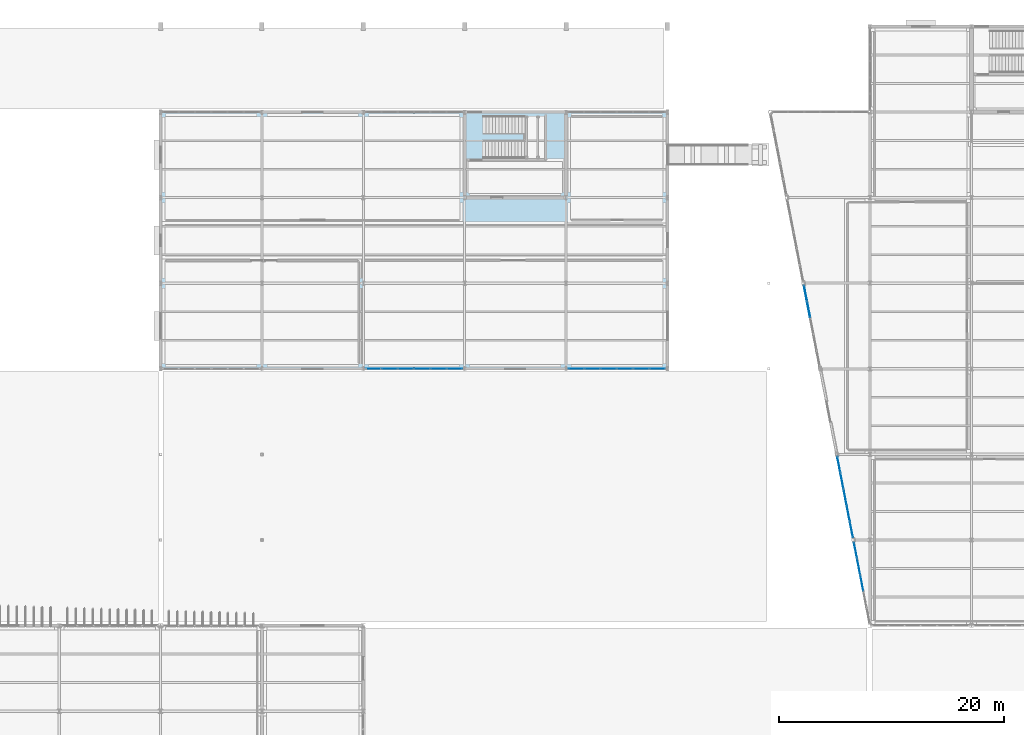
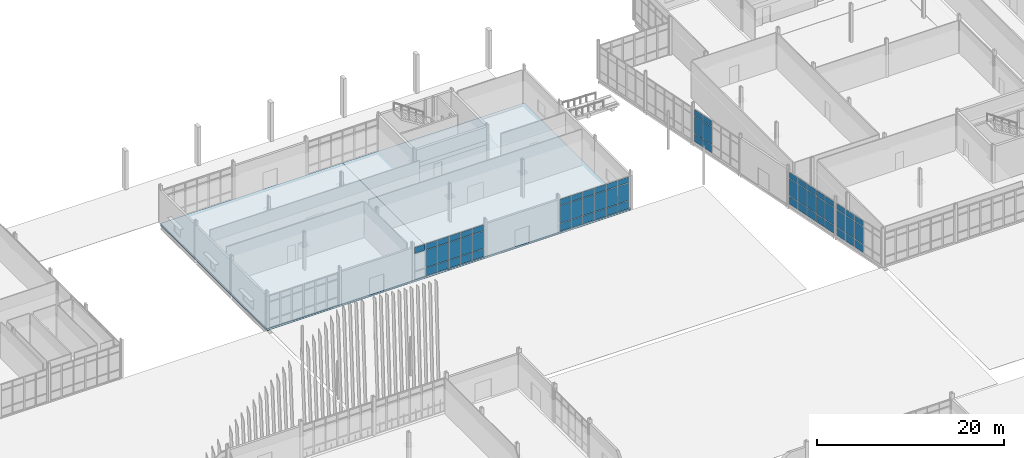
# One storey, part 129 of 161: 64 plates, 2 slabs, 5 elements without a shape of their own.
"""IFC4 building model written with IfcOpenShell, lengths in metres."""

import ifcopenshell
import ifcopenshell.guid

model = None  # the IFC model being written
_history = None  # IfcOwnerHistory: only IFC2X3 demands one
_inside = {}  # id of a spatial element -> (the spatial element, [elements in it])
_under = {}  # id of a project, library or spatial element -> (it, [spatial elements below it])
_declared = {}  # id of a project -> (the project, [libraries it declares])
_typed = {}  # id of a type object -> (the type object, [elements of that type])
_made_of = {}  # id of a material, layer set ... -> (it, [elements and type objects made of it])


def new_model(schema):
    """Start an empty IFC model of exactly this schema.

    Asked for "IFC4X3", IfcOpenShell would pick the latest addendum, in which some entities
    have other attributes; the version numbers below select the first issue.
    IFC2X3 requires an IfcOwnerHistory on every rooted entity: one is made here for all.
    """
    global model, _history
    if schema == "IFC4X3":
        model = ifcopenshell.file(schema_version=(4, 3, 0, 0))
    else:
        model = ifcopenshell.file(schema=schema)
    _inside.clear()
    _under.clear()
    _declared.clear()
    _typed.clear()
    _made_of.clear()
    _history = None
    if model.schema == "IFC2X3":
        org = make("IfcOrganization", Name="unknown")
        user = make(
            "IfcPersonAndOrganization",
            ThePerson=make("IfcPerson", FamilyName="unknown"),
            TheOrganization=org,
        )
        app = make(
            "IfcApplication",
            ApplicationDeveloper=org,
            Version="unknown",
            ApplicationFullName="unknown",
            ApplicationIdentifier="unknown",
        )
        _history = make(
            "IfcOwnerHistory",
            OwningUser=user,
            OwningApplication=app,
            ChangeAction="ADDED",
            CreationDate=0,
        )
    return model


def make(cls, **values):
    """One entity of the class cls with the attributes given. An attribute that is None is left unset."""
    return model.create_entity(
        cls, **{name: value for name, value in values.items() if value is not None}
    )


def rooted(cls, **values):
    """An entity with a GlobalId (a new one), such as an element, a storey or a relation."""
    return make(cls, GlobalId=ifcopenshell.guid.new(), OwnerHistory=_history, **values)


def si_unit(unit_type, name, prefix=None):
    """IfcSIUnit, for example si_unit("LENGTHUNIT", "METRE", prefix="MILLI")."""
    return make("IfcSIUnit", UnitType=unit_type, Prefix=prefix, Name=name)


def assignment(units):
    """IfcUnitAssignment: the units of a project."""
    return None if units is None else make("IfcUnitAssignment", Units=units)


def point(xyz):
    """IfcCartesianPoint."""
    return None if xyz is None else make("IfcCartesianPoint", Coordinates=xyz)


def direction(xyz):
    """IfcDirection."""
    return None if xyz is None else make("IfcDirection", DirectionRatios=xyz)


def frame(location, z_axis=None, x_axis=None):
    """IfcAxis2Placement3D, a coordinate frame: its origin and axes. An axis left out is left unset."""
    return make(
        "IfcAxis2Placement3D",
        Location=point(location),
        Axis=direction(z_axis),
        RefDirection=direction(x_axis),
    )


def frame_2d(location, x_axis=None):
    """IfcAxis2Placement2D, a coordinate frame in the plane: its origin and x axis."""
    return make(
        "IfcAxis2Placement2D", Location=point(location), RefDirection=direction(x_axis)
    )


def origin():
    """The frame at (0, 0, 0) with its axes left unset."""
    return frame((0.0, 0.0, 0.0))


def origin_2d():
    """The frame at (0, 0) in the plane with its x axis left unset."""
    return frame_2d((0.0, 0.0))


def place(relative_to, where):
    """IfcLocalPlacement: puts the frame where relative to a parent placement (None: the world)."""
    return make(
        "IfcLocalPlacement", PlacementRelTo=relative_to, RelativePlacement=where
    )


def context(
    kind, dimensions, precision=None, world=None, true_north=None, identifier=None
):
    """IfcGeometricRepresentationContext, for example the 3D "Model" context."""
    return make(
        "IfcGeometricRepresentationContext",
        ContextIdentifier=identifier,
        ContextType=kind,
        CoordinateSpaceDimension=dimensions,
        Precision=precision,
        WorldCoordinateSystem=world,
        TrueNorth=true_north,
    )


def subcontext(parent, identifier, kind, view, scale=None):
    """IfcGeometricRepresentationSubContext, for example "Body" below "Model"."""
    return make(
        "IfcGeometricRepresentationSubContext",
        ContextIdentifier=identifier,
        ContextType=kind,
        ParentContext=parent,
        TargetScale=scale,
        TargetView=view,
    )


def project(units=None, contexts=None):
    """IfcProject with its units and contexts."""
    return rooted(
        "IfcProject",
        Name="project",
        RepresentationContexts=contexts,
        UnitsInContext=assignment(units),
    )


def spatial(cls, under=None, at=None, **own):
    """A site, building, storey or space (cls), placed at a placement, below another one or the project."""
    s = rooted(cls, ObjectPlacement=at, **own)
    if under is not None:
        _under.setdefault(under.id(), (under, []))[1].append(s)
    return s


def polyline(points):
    """IfcPolyline through the points."""
    return make("IfcPolyline", Points=[point(p) for p in points])


def profile(cls, at=None, kind="AREA", **sizes):
    """A parametric profile (cls). Its sizes go by their IFC names, for example OverallWidth=200.0."""
    return make(cls, ProfileType=kind, Position=at, **sizes)


def rectangle(**sizes):
    """IfcRectangleProfileDef."""
    return profile("IfcRectangleProfileDef", **sizes)


def outline(outer, holes=None, kind="AREA"):
    """IfcArbitraryClosedProfileDef: a profile drawn as a closed curve; with holes, ...WithVoids."""
    if holes is None:
        return make("IfcArbitraryClosedProfileDef", ProfileType=kind, OuterCurve=outer)
    return make(
        "IfcArbitraryProfileDefWithVoids",
        ProfileType=kind,
        OuterCurve=outer,
        InnerCurves=holes,
    )


def extrude(swept, where, along, depth):
    """IfcExtrudedAreaSolid: the profile swept, set in the frame where, extruded along a direction by depth."""
    return make(
        "IfcExtrudedAreaSolid",
        SweptArea=swept,
        Position=where,
        ExtrudedDirection=direction(along),
        Depth=depth,
    )


def shape(context_of_items, identifier, shape_type, items):
    """IfcShapeRepresentation: the items that make up one representation, for example the "Body"."""
    return make(
        "IfcShapeRepresentation",
        ContextOfItems=context_of_items,
        RepresentationIdentifier=identifier,
        RepresentationType=shape_type,
        Items=items,
    )


def material(Name=None, Category=None):
    """IfcMaterial."""
    return make("IfcMaterial", Name=Name, Category=Category)


def layer(
    of_material, thickness, ventilated=None, Name=None, Category=None, Priority=None
):
    """IfcMaterialLayer: one layer of a wall or slab, of a material (None: an air gap)."""
    return make(
        "IfcMaterialLayer",
        Material=of_material,
        LayerThickness=thickness,
        IsVentilated=ventilated,
        Name=Name,
        Category=Category,
        Priority=Priority,
    )


def layer_set(layers, Name=None):
    """IfcMaterialLayerSet."""
    return make("IfcMaterialLayerSet", MaterialLayers=layers, LayerSetName=Name)


def made_of(thing, what):
    """Note that an element or type object is made of a material, layer set ...; save() writes the relation."""
    if what is not None:
        _made_of.setdefault(what.id(), (what, []))[1].append(thing)
    return thing


def type_object(cls, material=None, **own):
    """A type object (cls), such as IfcWallType, which elements share."""
    return made_of(rooted(cls, **own), material)


def element(
    cls,
    number,
    at=None,
    inside=None,
    cuts=None,
    type_object=None,
    material=None,
    context=None,
    identifier="Body",
    shape_type=None,
    held_by="IfcProductDefinitionShape",
    body=None,
    shapes=None,
    **own,
):
    """One element of the class cls, such as IfcWall. Its Tag is "e" and its number.

    at: its placement. inside: the storey or other place that contains it. cuts: it is an
    opening in that element (IfcRelVoidsElement). A single representation is given by context,
    identifier, shape_type and body (its items); several are given by shapes. held_by: the class
    of the entity that holds the representations. save() writes the other relations.
    """
    e = rooted(cls, Tag="e%d" % number, ObjectPlacement=at, **own)
    if body is not None:
        shapes = [shape(context, identifier, shape_type, body)]
    if shapes is not None:
        e.Representation = make(held_by, Representations=shapes)
    if inside is not None:
        _inside.setdefault(inside.id(), (inside, []))[1].append(e)
    if cuts is not None:
        rooted(
            "IfcRelVoidsElement", RelatingBuildingElement=cuts, RelatedOpeningElement=e
        )
    if type_object is not None:
        _typed.setdefault(type_object.id(), (type_object, []))[1].append(e)
    return made_of(e, material)


def aggregate(whole, parts):
    """IfcRelAggregates: a whole, such as a stair, and the parts it consists of."""
    return rooted("IfcRelAggregates", RelatingObject=whole, RelatedObjects=parts)


def save(model, path):
    """Write the relations noted so far, then the file.

    IfcRelAggregates (storeys below a building ...), IfcRelContainedInSpatialStructure (elements
    in a storey), IfcRelDefinesByType, IfcRelAssociatesMaterial and IfcRelDeclares: one each for
    every whole, place, type object, material and project.
    """
    for whole, parts in _under.values():
        aggregate(whole, parts)
    for where, things in _inside.values():
        rooted(
            "IfcRelContainedInSpatialStructure",
            RelatedElements=things,
            RelatingStructure=where,
        )
    for kind, things in _typed.values():
        rooted("IfcRelDefinesByType", RelatedObjects=things, RelatingType=kind)
    for what, things in _made_of.values():
        rooted("IfcRelAssociatesMaterial", RelatedObjects=things, RelatingMaterial=what)
    for by, libraries in _declared.values():
        rooted("IfcRelDeclares", RelatingContext=by, RelatedDefinitions=libraries)
    model.write(path)


model = new_model("IFC4")

# Units and contexts
model_context = context("Model", 3, precision=1e-05, world=origin(), true_north=direction((0.0, 1.0)))
body_context = subcontext(model_context, "Body", "Model", "MODEL_VIEW")
ifc_project = project(units=[si_unit("LENGTHUNIT", "METRE"), si_unit("AREAUNIT", "SQUARE_METRE"), si_unit("VOLUMEUNIT", "CUBIC_METRE"), si_unit("PLANEANGLEUNIT", "RADIAN"), si_unit("MASSUNIT", "GRAM", prefix="KILO")], contexts=[model_context])

# Site, building, storey
site_placement = place(None, origin())
site = spatial("IfcSite", under=ifc_project, at=site_placement, CompositionType="ELEMENT")
building_placement = place(site_placement, origin())
building = spatial("IfcBuilding", under=site, at=building_placement, Name="Caisbarro Railhouse Central Library", CompositionType="ELEMENT")
storey_placement = place(building_placement, origin())
storey = spatial("IfcBuildingStorey", under=building, at=storey_placement, Name="L00", CompositionType="ELEMENT", Elevation=0.0)

# Curtain wall, plates
ifc_material_1 = material(Name="Anodised architectural aluminium", Category="aluminium")
curtain_wall_type_1 = type_object("IfcCurtainWallType", Name="CW-CW01", PredefinedType="NOTDEFINED", material=ifc_material_1)
curtain_wall_1_placement = place(storey_placement, origin())
curtain_wall_1 = element("IfcCurtainWall", 1, at=curtain_wall_1_placement, inside=storey, type_object=curtain_wall_type_1, Name="CW01 curtain wall L00 #96", PredefinedType="NOTDEFINED")
ifc_material_2 = material(Name="Double low-e laminated solar-control glass", Category="glass")
ifc_layer_1 = layer(ifc_material_2, 0.01806640625, Name="Double low-e laminated solar-control glass")
ifc_layer_set_1 = layer_set([ifc_layer_1], Name="Double low-e laminated solar-control glass")
plate_type_1 = type_object("IfcPlateType", Name="CWP-CP18", PredefinedType="CURTAIN_PANEL", material=ifc_layer_set_1)
plate_1_placement = place(storey_placement, frame((116.261474609375, 64.60009765625, 0.06494140625), z_axis=(0.0, 0.0, 1.0), x_axis=(-0.190780945369, 0.981632635401, 0.0)))
plate_1 = element("IfcPlate", 2, at=plate_1_placement, type_object=plate_type_1, Name="CW01 panel 3.1", PredefinedType="CURTAIN_PANEL", context=body_context, shape_type="SweptSolid", body=[
    extrude(rectangle(XDim=1.409423828125, YDim=0.01806640625, at=origin_2d()), origin(), (0.0, 0.0, 1.0), 1.0224609375),
])
plate_2_placement = place(storey_placement, frame((116.261474609375, 64.60009765625, 1.15234375), z_axis=(0.0, 0.0, 1.0), x_axis=(-0.190780945369, 0.981632635401, 0.0)))
plate_2 = element("IfcPlate", 3, at=plate_2_placement, type_object=plate_type_1, Name="CW01 panel 3.2", PredefinedType="CURTAIN_PANEL", context=body_context, shape_type="SweptSolid", body=[
    extrude(rectangle(XDim=1.409423828125, YDim=0.01806640625, at=origin_2d()), origin(), (0.0, 0.0, 1.0), 2.264892578125),
])
plate_3_placement = place(storey_placement, frame((116.261474609375, 64.60009765625, 3.482421875), z_axis=(0.0, 0.0, 1.0), x_axis=(-0.190780945369, 0.981632635401, 0.0)))
plate_3 = element("IfcPlate", 4, at=plate_3_placement, type_object=plate_type_1, Name="CW01 panel 3.3", PredefinedType="CURTAIN_PANEL", context=body_context, shape_type="SweptSolid", body=[
    extrude(rectangle(XDim=1.409423828125, YDim=0.01806640625, at=origin_2d()), origin(), (0.0, 0.0, 1.0), 0.75244140625),
])
plate_4_placement = place(storey_placement, frame((115.978271484375, 66.05712890625, 0.06494140625), z_axis=(0.0, 0.0, 1.0), x_axis=(-0.190780945369, 0.981632635401, 0.0)))
plate_4 = element("IfcPlate", 5, at=plate_4_placement, type_object=plate_type_1, Name="CW01 panel 4.1", PredefinedType="CURTAIN_PANEL", context=body_context, shape_type="SweptSolid", body=[
    extrude(rectangle(XDim=1.409423828125, YDim=0.01806640625, at=origin_2d()), origin(), (0.0, 0.0, 1.0), 1.0224609375),
])
plate_5_placement = place(storey_placement, frame((115.978271484375, 66.05712890625, 1.15234375), z_axis=(0.0, 0.0, 1.0), x_axis=(-0.190780945369, 0.981632635401, 0.0)))
plate_5 = element("IfcPlate", 6, at=plate_5_placement, type_object=plate_type_1, Name="CW01 panel 4.2", PredefinedType="CURTAIN_PANEL", context=body_context, shape_type="SweptSolid", body=[
    extrude(rectangle(XDim=1.409423828125, YDim=0.01806640625, at=origin_2d()), origin(), (0.0, 0.0, 1.0), 2.264892578125),
])
plate_6_placement = place(storey_placement, frame((115.978271484375, 66.05712890625, 3.482421875), z_axis=(0.0, 0.0, 1.0), x_axis=(-0.190780945369, 0.981632635401, 0.0)))
plate_6 = element("IfcPlate", 7, at=plate_6_placement, type_object=plate_type_1, Name="CW01 panel 4.3", PredefinedType="CURTAIN_PANEL", context=body_context, shape_type="SweptSolid", body=[
    extrude(rectangle(XDim=1.409423828125, YDim=0.01806640625, at=origin_2d()), origin(), (0.0, 0.0, 1.0), 0.75244140625),
])
plate_7_placement = place(storey_placement, frame((115.69873046875, 67.495849609375, 0.06494140625), z_axis=(0.0, 0.0, 1.0), x_axis=(-0.190780945369, 0.981632635401, 0.0)))
plate_7 = element("IfcPlate", 8, at=plate_7_placement, type_object=plate_type_1, Name="CW01 panel 5.1", PredefinedType="CURTAIN_PANEL", context=body_context, shape_type="SweptSolid", body=[
    extrude(rectangle(XDim=1.371826171875, YDim=0.01806640625, at=origin_2d()), origin(), (0.0, 0.0, 1.0), 1.0224609375),
])
plate_8_placement = place(storey_placement, frame((115.69873046875, 67.495849609375, 1.15234375), z_axis=(0.0, 0.0, 1.0), x_axis=(-0.190780945369, 0.981632635401, 0.0)))
plate_8 = element("IfcPlate", 9, at=plate_8_placement, type_object=plate_type_1, Name="CW01 panel 5.2", PredefinedType="CURTAIN_PANEL", context=body_context, shape_type="SweptSolid", body=[
    extrude(rectangle(XDim=1.371826171875, YDim=0.01806640625, at=origin_2d()), origin(), (0.0, 0.0, 1.0), 2.264892578125),
])
plate_9_placement = place(storey_placement, frame((115.69873046875, 67.495849609375, 3.482421875), z_axis=(0.0, 0.0, 1.0), x_axis=(-0.190780945369, 0.981632635401, 0.0)))
plate_9 = element("IfcPlate", 10, at=plate_9_placement, type_object=plate_type_1, Name="CW01 panel 5.3", PredefinedType="CURTAIN_PANEL", context=body_context, shape_type="SweptSolid", body=[
    extrude(rectangle(XDim=1.371826171875, YDim=0.01806640625, at=origin_2d()), origin(), (0.0, 0.0, 1.0), 0.75244140625),
])
aggregate(curtain_wall_1, [plate_1, plate_2, plate_3, plate_4, plate_5, plate_6, plate_7, plate_8, plate_9])

curtain_wall_type_2 = type_object("IfcCurtainWallType", Name="CW-CW02", PredefinedType="NOTDEFINED", material=ifc_material_1)
curtain_wall_2_placement = place(storey_placement, origin())
curtain_wall_2 = element("IfcCurtainWall", 11, at=curtain_wall_2_placement, inside=storey, type_object=curtain_wall_type_2, Name="CW02 curtain wall L00 #168", PredefinedType="NOTDEFINED")
plate_10_placement = place(storey_placement, frame((72.902099609375, 83.60009765625, 3.482421875), z_axis=(0.0, 0.0, 1.0), x_axis=(1.0, 0.0, 0.0)))
plate_10 = element("IfcPlate", 12, at=plate_10_placement, type_object=plate_type_1, Name="CW02 panel 1.3", PredefinedType="CURTAIN_PANEL", context=body_context, shape_type="SweptSolid", body=[
    extrude(rectangle(XDim=1.334228515625, YDim=0.01806640625, at=origin_2d()), origin(), (0.0, 0.0, 1.0), 0.75244140625),
])
plate_11_placement = place(storey_placement, frame((74.330078125, 83.60009765625, 0.06494140625), z_axis=(0.0, 0.0, 1.0), x_axis=(1.0, 0.0, 0.0)))
plate_11 = element("IfcPlate", 13, at=plate_11_placement, type_object=plate_type_1, Name="CW02 panel 2.1", PredefinedType="CURTAIN_PANEL", context=body_context, shape_type="SweptSolid", body=[
    extrude(rectangle(XDim=1.37158203125, YDim=0.01806640625, at=origin_2d()), origin(), (0.0, 0.0, 1.0), 1.0224609375),
])
plate_12_placement = place(storey_placement, frame((74.330078125, 83.60009765625, 1.15234375), z_axis=(0.0, 0.0, 1.0), x_axis=(1.0, 0.0, 0.0)))
plate_12 = element("IfcPlate", 14, at=plate_12_placement, type_object=plate_type_1, Name="CW02 panel 2.2", PredefinedType="CURTAIN_PANEL", context=body_context, shape_type="SweptSolid", body=[
    extrude(rectangle(XDim=1.37158203125, YDim=0.01806640625, at=origin_2d()), origin(), (0.0, 0.0, 1.0), 2.264892578125),
])
plate_13_placement = place(storey_placement, frame((74.330078125, 83.60009765625, 3.482421875), z_axis=(0.0, 0.0, 1.0), x_axis=(1.0, 0.0, 0.0)))
plate_13 = element("IfcPlate", 15, at=plate_13_placement, type_object=plate_type_1, Name="CW02 panel 2.3", PredefinedType="CURTAIN_PANEL", context=body_context, shape_type="SweptSolid", body=[
    extrude(rectangle(XDim=1.37158203125, YDim=0.01806640625, at=origin_2d()), origin(), (0.0, 0.0, 1.0), 0.75244140625),
])
plate_14_placement = place(storey_placement, frame((75.776611328125, 83.60009765625, 0.06494140625), z_axis=(0.0, 0.0, 1.0), x_axis=(1.0, 0.0, 0.0)))
plate_14 = element("IfcPlate", 16, at=plate_14_placement, type_object=plate_type_1, Name="CW02 panel 3.1", PredefinedType="CURTAIN_PANEL", context=body_context, shape_type="SweptSolid", body=[
    extrude(rectangle(XDim=1.37158203125, YDim=0.01806640625, at=origin_2d()), origin(), (0.0, 0.0, 1.0), 1.0224609375),
])
plate_15_placement = place(storey_placement, frame((75.776611328125, 83.60009765625, 1.15234375), z_axis=(0.0, 0.0, 1.0), x_axis=(1.0, 0.0, 0.0)))
plate_15 = element("IfcPlate", 17, at=plate_15_placement, type_object=plate_type_1, Name="CW02 panel 3.2", PredefinedType="CURTAIN_PANEL", context=body_context, shape_type="SweptSolid", body=[
    extrude(rectangle(XDim=1.37158203125, YDim=0.01806640625, at=origin_2d()), origin(), (0.0, 0.0, 1.0), 2.264892578125),
])
plate_16_placement = place(storey_placement, frame((75.776611328125, 83.60009765625, 3.482421875), z_axis=(0.0, 0.0, 1.0), x_axis=(1.0, 0.0, 0.0)))
plate_16 = element("IfcPlate", 18, at=plate_16_placement, type_object=plate_type_1, Name="CW02 panel 3.3", PredefinedType="CURTAIN_PANEL", context=body_context, shape_type="SweptSolid", body=[
    extrude(rectangle(XDim=1.37158203125, YDim=0.01806640625, at=origin_2d()), origin(), (0.0, 0.0, 1.0), 0.75244140625),
])
plate_17_placement = place(storey_placement, frame((77.223388671875, 83.60009765625, 0.06494140625), z_axis=(0.0, 0.0, 1.0), x_axis=(1.0, 0.0, 0.0)))
plate_17 = element("IfcPlate", 19, at=plate_17_placement, type_object=plate_type_1, Name="CW02 panel 4.1", PredefinedType="CURTAIN_PANEL", context=body_context, shape_type="SweptSolid", body=[
    extrude(rectangle(XDim=1.37158203125, YDim=0.01806640625, at=origin_2d()), origin(), (0.0, 0.0, 1.0), 1.0224609375),
])
plate_18_placement = place(storey_placement, frame((77.223388671875, 83.60009765625, 1.15234375), z_axis=(0.0, 0.0, 1.0), x_axis=(1.0, 0.0, 0.0)))
plate_18 = element("IfcPlate", 20, at=plate_18_placement, type_object=plate_type_1, Name="CW02 panel 4.2", PredefinedType="CURTAIN_PANEL", context=body_context, shape_type="SweptSolid", body=[
    extrude(rectangle(XDim=1.37158203125, YDim=0.01806640625, at=origin_2d()), origin(), (0.0, 0.0, 1.0), 2.264892578125),
])
plate_19_placement = place(storey_placement, frame((77.223388671875, 83.60009765625, 3.482421875), z_axis=(0.0, 0.0, 1.0), x_axis=(1.0, 0.0, 0.0)))
plate_19 = element("IfcPlate", 21, at=plate_19_placement, type_object=plate_type_1, Name="CW02 panel 4.3", PredefinedType="CURTAIN_PANEL", context=body_context, shape_type="SweptSolid", body=[
    extrude(rectangle(XDim=1.37158203125, YDim=0.01806640625, at=origin_2d()), origin(), (0.0, 0.0, 1.0), 0.75244140625),
])
plate_20_placement = place(storey_placement, frame((78.669921875, 83.60009765625, 0.06494140625), z_axis=(0.0, 0.0, 1.0), x_axis=(1.0, 0.0, 0.0)))
plate_20 = element("IfcPlate", 22, at=plate_20_placement, type_object=plate_type_1, Name="CW02 panel 5.1", PredefinedType="CURTAIN_PANEL", context=body_context, shape_type="SweptSolid", body=[
    extrude(rectangle(XDim=1.37158203125, YDim=0.01806640625, at=origin_2d()), origin(), (0.0, 0.0, 1.0), 1.0224609375),
])
plate_21_placement = place(storey_placement, frame((78.669921875, 83.60009765625, 1.15234375), z_axis=(0.0, 0.0, 1.0), x_axis=(1.0, 0.0, 0.0)))
plate_21 = element("IfcPlate", 23, at=plate_21_placement, type_object=plate_type_1, Name="CW02 panel 5.2", PredefinedType="CURTAIN_PANEL", context=body_context, shape_type="SweptSolid", body=[
    extrude(rectangle(XDim=1.37158203125, YDim=0.01806640625, at=origin_2d()), origin(), (0.0, 0.0, 1.0), 2.264892578125),
])
plate_22_placement = place(storey_placement, frame((78.669921875, 83.60009765625, 3.482421875), z_axis=(0.0, 0.0, 1.0), x_axis=(1.0, 0.0, 0.0)))
plate_22 = element("IfcPlate", 24, at=plate_22_placement, type_object=plate_type_1, Name="CW02 panel 5.3", PredefinedType="CURTAIN_PANEL", context=body_context, shape_type="SweptSolid", body=[
    extrude(rectangle(XDim=1.37158203125, YDim=0.01806640625, at=origin_2d()), origin(), (0.0, 0.0, 1.0), 0.75244140625),
])
plate_23_placement = place(storey_placement, frame((80.097900390625, 83.60009765625, 0.06494140625), z_axis=(0.0, 0.0, 1.0), x_axis=(1.0, 0.0, 0.0)))
plate_23 = element("IfcPlate", 25, at=plate_23_placement, type_object=plate_type_1, Name="CW02 panel 6.1", PredefinedType="CURTAIN_PANEL", context=body_context, shape_type="SweptSolid", body=[
    extrude(rectangle(XDim=1.334228515625, YDim=0.01806640625, at=origin_2d()), origin(), (0.0, 0.0, 1.0), 1.0224609375),
])
plate_24_placement = place(storey_placement, frame((80.097900390625, 83.60009765625, 1.15234375), z_axis=(0.0, 0.0, 1.0), x_axis=(1.0, 0.0, 0.0)))
plate_24 = element("IfcPlate", 26, at=plate_24_placement, type_object=plate_type_1, Name="CW02 panel 6.2", PredefinedType="CURTAIN_PANEL", context=body_context, shape_type="SweptSolid", body=[
    extrude(rectangle(XDim=1.334228515625, YDim=0.01806640625, at=origin_2d()), origin(), (0.0, 0.0, 1.0), 2.264892578125),
])
plate_25_placement = place(storey_placement, frame((80.097900390625, 83.60009765625, 3.482421875), z_axis=(0.0, 0.0, 1.0), x_axis=(1.0, 0.0, 0.0)))
plate_25 = element("IfcPlate", 27, at=plate_25_placement, type_object=plate_type_1, Name="CW02 panel 6.3", PredefinedType="CURTAIN_PANEL", context=body_context, shape_type="SweptSolid", body=[
    extrude(rectangle(XDim=1.334228515625, YDim=0.01806640625, at=origin_2d()), origin(), (0.0, 0.0, 1.0), 0.75244140625),
])
aggregate(curtain_wall_2, [plate_10, plate_11, plate_12, plate_13, plate_14, plate_15, plate_16, plate_17, plate_18, plate_19, plate_20, plate_21, plate_22, plate_23, plate_24, plate_25])

curtain_wall_3_placement = place(storey_placement, origin())
curtain_wall_3 = element("IfcCurtainWall", 28, at=curtain_wall_3_placement, inside=storey, type_object=curtain_wall_type_2, Name="CW02 curtain wall L00 #170", PredefinedType="NOTDEFINED")
plate_26_placement = place(storey_placement, frame((90.902099609375, 83.60009765625, 0.06494140625), z_axis=(0.0, 0.0, 1.0), x_axis=(1.0, 0.0, 0.0)))
plate_26 = element("IfcPlate", 29, at=plate_26_placement, type_object=plate_type_1, Name="CW02 panel 1.1", PredefinedType="CURTAIN_PANEL", context=body_context, shape_type="SweptSolid", body=[
    extrude(rectangle(XDim=1.334228515625, YDim=0.01806640625, at=origin_2d()), origin(), (0.0, 0.0, 1.0), 1.0224609375),
])
plate_27_placement = place(storey_placement, frame((90.902099609375, 83.60009765625, 1.15234375), z_axis=(0.0, 0.0, 1.0), x_axis=(1.0, 0.0, 0.0)))
plate_27 = element("IfcPlate", 30, at=plate_27_placement, type_object=plate_type_1, Name="CW02 panel 1.2", PredefinedType="CURTAIN_PANEL", context=body_context, shape_type="SweptSolid", body=[
    extrude(rectangle(XDim=1.334228515625, YDim=0.01806640625, at=origin_2d()), origin(), (0.0, 0.0, 1.0), 2.264892578125),
])
plate_28_placement = place(storey_placement, frame((90.902099609375, 83.60009765625, 3.482421875), z_axis=(0.0, 0.0, 1.0), x_axis=(1.0, 0.0, 0.0)))
plate_28 = element("IfcPlate", 31, at=plate_28_placement, type_object=plate_type_1, Name="CW02 panel 1.3", PredefinedType="CURTAIN_PANEL", context=body_context, shape_type="SweptSolid", body=[
    extrude(rectangle(XDim=1.334228515625, YDim=0.01806640625, at=origin_2d()), origin(), (0.0, 0.0, 1.0), 0.75244140625),
])
plate_29_placement = place(storey_placement, frame((92.330078125, 83.60009765625, 0.06494140625), z_axis=(0.0, 0.0, 1.0), x_axis=(1.0, 0.0, 0.0)))
plate_29 = element("IfcPlate", 32, at=plate_29_placement, type_object=plate_type_1, Name="CW02 panel 2.1", PredefinedType="CURTAIN_PANEL", context=body_context, shape_type="SweptSolid", body=[
    extrude(rectangle(XDim=1.37158203125, YDim=0.01806640625, at=origin_2d()), origin(), (0.0, 0.0, 1.0), 1.0224609375),
])
plate_30_placement = place(storey_placement, frame((92.330078125, 83.60009765625, 1.15234375), z_axis=(0.0, 0.0, 1.0), x_axis=(1.0, 0.0, 0.0)))
plate_30 = element("IfcPlate", 33, at=plate_30_placement, type_object=plate_type_1, Name="CW02 panel 2.2", PredefinedType="CURTAIN_PANEL", context=body_context, shape_type="SweptSolid", body=[
    extrude(rectangle(XDim=1.37158203125, YDim=0.01806640625, at=origin_2d()), origin(), (0.0, 0.0, 1.0), 2.264892578125),
])
plate_31_placement = place(storey_placement, frame((92.330078125, 83.60009765625, 3.482421875), z_axis=(0.0, 0.0, 1.0), x_axis=(1.0, 0.0, 0.0)))
plate_31 = element("IfcPlate", 34, at=plate_31_placement, type_object=plate_type_1, Name="CW02 panel 2.3", PredefinedType="CURTAIN_PANEL", context=body_context, shape_type="SweptSolid", body=[
    extrude(rectangle(XDim=1.37158203125, YDim=0.01806640625, at=origin_2d()), origin(), (0.0, 0.0, 1.0), 0.75244140625),
])
plate_32_placement = place(storey_placement, frame((93.776611328125, 83.60009765625, 0.06494140625), z_axis=(0.0, 0.0, 1.0), x_axis=(1.0, 0.0, 0.0)))
plate_32 = element("IfcPlate", 35, at=plate_32_placement, type_object=plate_type_1, Name="CW02 panel 3.1", PredefinedType="CURTAIN_PANEL", context=body_context, shape_type="SweptSolid", body=[
    extrude(rectangle(XDim=1.37158203125, YDim=0.01806640625, at=origin_2d()), origin(), (0.0, 0.0, 1.0), 1.0224609375),
])
plate_33_placement = place(storey_placement, frame((93.776611328125, 83.60009765625, 1.15234375), z_axis=(0.0, 0.0, 1.0), x_axis=(1.0, 0.0, 0.0)))
plate_33 = element("IfcPlate", 36, at=plate_33_placement, type_object=plate_type_1, Name="CW02 panel 3.2", PredefinedType="CURTAIN_PANEL", context=body_context, shape_type="SweptSolid", body=[
    extrude(rectangle(XDim=1.37158203125, YDim=0.01806640625, at=origin_2d()), origin(), (0.0, 0.0, 1.0), 2.264892578125),
])
plate_34_placement = place(storey_placement, frame((93.776611328125, 83.60009765625, 3.482421875), z_axis=(0.0, 0.0, 1.0), x_axis=(1.0, 0.0, 0.0)))
plate_34 = element("IfcPlate", 37, at=plate_34_placement, type_object=plate_type_1, Name="CW02 panel 3.3", PredefinedType="CURTAIN_PANEL", context=body_context, shape_type="SweptSolid", body=[
    extrude(rectangle(XDim=1.37158203125, YDim=0.01806640625, at=origin_2d()), origin(), (0.0, 0.0, 1.0), 0.75244140625),
])
plate_35_placement = place(storey_placement, frame((95.223388671875, 83.60009765625, 0.06494140625), z_axis=(0.0, 0.0, 1.0), x_axis=(1.0, 0.0, 0.0)))
plate_35 = element("IfcPlate", 38, at=plate_35_placement, type_object=plate_type_1, Name="CW02 panel 4.1", PredefinedType="CURTAIN_PANEL", context=body_context, shape_type="SweptSolid", body=[
    extrude(rectangle(XDim=1.37158203125, YDim=0.01806640625, at=origin_2d()), origin(), (0.0, 0.0, 1.0), 1.0224609375),
])
plate_36_placement = place(storey_placement, frame((95.223388671875, 83.60009765625, 1.15234375), z_axis=(0.0, 0.0, 1.0), x_axis=(1.0, 0.0, 0.0)))
plate_36 = element("IfcPlate", 39, at=plate_36_placement, type_object=plate_type_1, Name="CW02 panel 4.2", PredefinedType="CURTAIN_PANEL", context=body_context, shape_type="SweptSolid", body=[
    extrude(rectangle(XDim=1.37158203125, YDim=0.01806640625, at=origin_2d()), origin(), (0.0, 0.0, 1.0), 2.264892578125),
])
plate_37_placement = place(storey_placement, frame((95.223388671875, 83.60009765625, 3.482421875), z_axis=(0.0, 0.0, 1.0), x_axis=(1.0, 0.0, 0.0)))
plate_37 = element("IfcPlate", 40, at=plate_37_placement, type_object=plate_type_1, Name="CW02 panel 4.3", PredefinedType="CURTAIN_PANEL", context=body_context, shape_type="SweptSolid", body=[
    extrude(rectangle(XDim=1.37158203125, YDim=0.01806640625, at=origin_2d()), origin(), (0.0, 0.0, 1.0), 0.75244140625),
])
plate_38_placement = place(storey_placement, frame((96.669921875, 83.60009765625, 0.06494140625), z_axis=(0.0, 0.0, 1.0), x_axis=(1.0, 0.0, 0.0)))
plate_38 = element("IfcPlate", 41, at=plate_38_placement, type_object=plate_type_1, Name="CW02 panel 5.1", PredefinedType="CURTAIN_PANEL", context=body_context, shape_type="SweptSolid", body=[
    extrude(rectangle(XDim=1.37158203125, YDim=0.01806640625, at=origin_2d()), origin(), (0.0, 0.0, 1.0), 1.0224609375),
])
plate_39_placement = place(storey_placement, frame((96.669921875, 83.60009765625, 1.15234375), z_axis=(0.0, 0.0, 1.0), x_axis=(1.0, 0.0, 0.0)))
plate_39 = element("IfcPlate", 42, at=plate_39_placement, type_object=plate_type_1, Name="CW02 panel 5.2", PredefinedType="CURTAIN_PANEL", context=body_context, shape_type="SweptSolid", body=[
    extrude(rectangle(XDim=1.37158203125, YDim=0.01806640625, at=origin_2d()), origin(), (0.0, 0.0, 1.0), 2.264892578125),
])
plate_40_placement = place(storey_placement, frame((96.669921875, 83.60009765625, 3.482421875), z_axis=(0.0, 0.0, 1.0), x_axis=(1.0, 0.0, 0.0)))
plate_40 = element("IfcPlate", 43, at=plate_40_placement, type_object=plate_type_1, Name="CW02 panel 5.3", PredefinedType="CURTAIN_PANEL", context=body_context, shape_type="SweptSolid", body=[
    extrude(rectangle(XDim=1.37158203125, YDim=0.01806640625, at=origin_2d()), origin(), (0.0, 0.0, 1.0), 0.75244140625),
])
plate_41_placement = place(storey_placement, frame((98.097900390625, 83.60009765625, 0.06494140625), z_axis=(0.0, 0.0, 1.0), x_axis=(1.0, 0.0, 0.0)))
plate_41 = element("IfcPlate", 44, at=plate_41_placement, type_object=plate_type_1, Name="CW02 panel 6.1", PredefinedType="CURTAIN_PANEL", context=body_context, shape_type="SweptSolid", body=[
    extrude(rectangle(XDim=1.334228515625, YDim=0.01806640625, at=origin_2d()), origin(), (0.0, 0.0, 1.0), 1.0224609375),
])
plate_42_placement = place(storey_placement, frame((98.097900390625, 83.60009765625, 1.15234375), z_axis=(0.0, 0.0, 1.0), x_axis=(1.0, 0.0, 0.0)))
plate_42 = element("IfcPlate", 45, at=plate_42_placement, type_object=plate_type_1, Name="CW02 panel 6.2", PredefinedType="CURTAIN_PANEL", context=body_context, shape_type="SweptSolid", body=[
    extrude(rectangle(XDim=1.334228515625, YDim=0.01806640625, at=origin_2d()), origin(), (0.0, 0.0, 1.0), 2.264892578125),
])
plate_43_placement = place(storey_placement, frame((98.097900390625, 83.60009765625, 3.482421875), z_axis=(0.0, 0.0, 1.0), x_axis=(1.0, 0.0, 0.0)))
plate_43 = element("IfcPlate", 46, at=plate_43_placement, type_object=plate_type_1, Name="CW02 panel 6.3", PredefinedType="CURTAIN_PANEL", context=body_context, shape_type="SweptSolid", body=[
    extrude(rectangle(XDim=1.334228515625, YDim=0.01806640625, at=origin_2d()), origin(), (0.0, 0.0, 1.0), 0.75244140625),
])
aggregate(curtain_wall_3, [plate_26, plate_27, plate_28, plate_29, plate_30, plate_31, plate_32, plate_33, plate_34, plate_35, plate_36, plate_37, plate_38, plate_39, plate_40, plate_41, plate_42, plate_43])

curtain_wall_4_placement = place(storey_placement, origin())
curtain_wall_4 = element("IfcCurtainWall", 47, at=curtain_wall_4_placement, inside=storey, type_object=curtain_wall_type_1, Name="CW01 curtain wall L00 #97", PredefinedType="NOTDEFINED")
ifc_layer_2 = layer(ifc_material_2, 0.028076171875, Name="Double low-e laminated solar-control glass")
ifc_layer_set_2 = layer_set([ifc_layer_2], Name="Double low-e laminated solar-control glass")
plate_type_2 = type_object("IfcPlateType", Name="CWP-CP28", PredefinedType="CURTAIN_PANEL", material=ifc_layer_set_2)
plate_44_placement = place(storey_placement, frame((115.34716796875, 69.30419921875, 0.06494140625), z_axis=(0.0, 0.0, 1.0), x_axis=(-0.190910768765, 0.98160739523, 0.0)))
plate_44 = element("IfcPlate", 48, at=plate_44_placement, type_object=plate_type_2, Name="CW01 panel 1.1", PredefinedType="CURTAIN_PANEL", context=body_context, shape_type="SweptSolid", body=[
    extrude(rectangle(XDim=1.3720703125, YDim=0.028076171875, at=origin_2d()), origin(), (0.0, 0.0, 1.0), 1.0224609375),
])
plate_45_placement = place(storey_placement, frame((115.34716796875, 69.30419921875, 1.15234375), z_axis=(0.0, 0.0, 1.0), x_axis=(-0.190910768765, 0.98160739523, 0.0)))
plate_45 = element("IfcPlate", 49, at=plate_45_placement, type_object=plate_type_2, Name="CW01 panel 1.2", PredefinedType="CURTAIN_PANEL", context=body_context, shape_type="SweptSolid", body=[
    extrude(rectangle(XDim=1.3720703125, YDim=0.028076171875, at=origin_2d()), origin(), (0.0, 0.0, 1.0), 2.264892578125),
])
plate_46_placement = place(storey_placement, frame((115.34716796875, 69.30419921875, 3.482421875), z_axis=(0.0, 0.0, 1.0), x_axis=(-0.190910768765, 0.98160739523, 0.0)))
plate_46 = element("IfcPlate", 50, at=plate_46_placement, type_object=plate_type_2, Name="CW01 panel 1.3", PredefinedType="CURTAIN_PANEL", context=body_context, shape_type="SweptSolid", body=[
    extrude(rectangle(XDim=1.3720703125, YDim=0.028076171875, at=origin_2d()), origin(), (0.0, 0.0, 1.0), 0.75244140625),
])
plate_47_placement = place(storey_placement, frame((115.0673828125, 70.742919921875, 0.06494140625), z_axis=(0.0, 0.0, 1.0), x_axis=(-0.190910768765, 0.98160739523, 0.0)))
plate_47 = element("IfcPlate", 51, at=plate_47_placement, type_object=plate_type_2, Name="CW01 panel 2.1", PredefinedType="CURTAIN_PANEL", context=body_context, shape_type="SweptSolid", body=[
    extrude(rectangle(XDim=1.409423828125, YDim=0.028076171875, at=origin_2d()), origin(), (0.0, 0.0, 1.0), 1.0224609375),
])
plate_48_placement = place(storey_placement, frame((115.0673828125, 70.742919921875, 1.15234375), z_axis=(0.0, 0.0, 1.0), x_axis=(-0.190910768765, 0.98160739523, 0.0)))
plate_48 = element("IfcPlate", 52, at=plate_48_placement, type_object=plate_type_2, Name="CW01 panel 2.2", PredefinedType="CURTAIN_PANEL", context=body_context, shape_type="SweptSolid", body=[
    extrude(rectangle(XDim=1.409423828125, YDim=0.028076171875, at=origin_2d()), origin(), (0.0, 0.0, 1.0), 2.264892578125),
])
plate_49_placement = place(storey_placement, frame((115.0673828125, 70.742919921875, 3.482421875), z_axis=(0.0, 0.0, 1.0), x_axis=(-0.190910768765, 0.98160739523, 0.0)))
plate_49 = element("IfcPlate", 53, at=plate_49_placement, type_object=plate_type_2, Name="CW01 panel 2.3", PredefinedType="CURTAIN_PANEL", context=body_context, shape_type="SweptSolid", body=[
    extrude(rectangle(XDim=1.409423828125, YDim=0.028076171875, at=origin_2d()), origin(), (0.0, 0.0, 1.0), 0.75244140625),
])
plate_50_placement = place(storey_placement, frame((114.783935546875, 72.199951171875, 0.06494140625), z_axis=(0.0, 0.0, 1.0), x_axis=(-0.190910768765, 0.98160739523, 0.0)))
plate_50 = element("IfcPlate", 54, at=plate_50_placement, type_object=plate_type_2, Name="CW01 panel 3.1", PredefinedType="CURTAIN_PANEL", context=body_context, shape_type="SweptSolid", body=[
    extrude(rectangle(XDim=1.409423828125, YDim=0.028076171875, at=origin_2d()), origin(), (0.0, 0.0, 1.0), 1.0224609375),
])
plate_51_placement = place(storey_placement, frame((114.783935546875, 72.199951171875, 1.15234375), z_axis=(0.0, 0.0, 1.0), x_axis=(-0.190910768765, 0.98160739523, 0.0)))
plate_51 = element("IfcPlate", 55, at=plate_51_placement, type_object=plate_type_2, Name="CW01 panel 3.2", PredefinedType="CURTAIN_PANEL", context=body_context, shape_type="SweptSolid", body=[
    extrude(rectangle(XDim=1.409423828125, YDim=0.028076171875, at=origin_2d()), origin(), (0.0, 0.0, 1.0), 2.264892578125),
])
plate_52_placement = place(storey_placement, frame((114.783935546875, 72.199951171875, 3.482421875), z_axis=(0.0, 0.0, 1.0), x_axis=(-0.190910768765, 0.98160739523, 0.0)))
plate_52 = element("IfcPlate", 56, at=plate_52_placement, type_object=plate_type_2, Name="CW01 panel 3.3", PredefinedType="CURTAIN_PANEL", context=body_context, shape_type="SweptSolid", body=[
    extrude(rectangle(XDim=1.409423828125, YDim=0.028076171875, at=origin_2d()), origin(), (0.0, 0.0, 1.0), 0.75244140625),
])
plate_53_placement = place(storey_placement, frame((114.50048828125, 73.6572265625, 0.06494140625), z_axis=(0.0, 0.0, 1.0), x_axis=(-0.190910768765, 0.98160739523, 0.0)))
plate_53 = element("IfcPlate", 57, at=plate_53_placement, type_object=plate_type_2, Name="CW01 panel 4.1", PredefinedType="CURTAIN_PANEL", context=body_context, shape_type="SweptSolid", body=[
    extrude(rectangle(XDim=1.409423828125, YDim=0.028076171875, at=origin_2d()), origin(), (0.0, 0.0, 1.0), 1.0224609375),
])
plate_54_placement = place(storey_placement, frame((114.50048828125, 73.6572265625, 1.15234375), z_axis=(0.0, 0.0, 1.0), x_axis=(-0.190910768765, 0.98160739523, 0.0)))
plate_54 = element("IfcPlate", 58, at=plate_54_placement, type_object=plate_type_2, Name="CW01 panel 4.2", PredefinedType="CURTAIN_PANEL", context=body_context, shape_type="SweptSolid", body=[
    extrude(rectangle(XDim=1.409423828125, YDim=0.028076171875, at=origin_2d()), origin(), (0.0, 0.0, 1.0), 2.264892578125),
])
plate_55_placement = place(storey_placement, frame((114.50048828125, 73.6572265625, 3.482421875), z_axis=(0.0, 0.0, 1.0), x_axis=(-0.190910768765, 0.98160739523, 0.0)))
plate_55 = element("IfcPlate", 59, at=plate_55_placement, type_object=plate_type_2, Name="CW01 panel 4.3", PredefinedType="CURTAIN_PANEL", context=body_context, shape_type="SweptSolid", body=[
    extrude(rectangle(XDim=1.409423828125, YDim=0.028076171875, at=origin_2d()), origin(), (0.0, 0.0, 1.0), 0.75244140625),
])
plate_56_placement = place(storey_placement, frame((114.220703125, 75.095947265625, 0.06494140625), z_axis=(0.0, 0.0, 1.0), x_axis=(-0.190910768765, 0.98160739523, 0.0)))
plate_56 = element("IfcPlate", 60, at=plate_56_placement, type_object=plate_type_2, Name="CW01 panel 5.1", PredefinedType="CURTAIN_PANEL", context=body_context, shape_type="SweptSolid", body=[
    extrude(rectangle(XDim=1.3720703125, YDim=0.028076171875, at=origin_2d()), origin(), (0.0, 0.0, 1.0), 1.0224609375),
])
plate_57_placement = place(storey_placement, frame((114.220703125, 75.095947265625, 1.15234375), z_axis=(0.0, 0.0, 1.0), x_axis=(-0.190910768765, 0.98160739523, 0.0)))
plate_57 = element("IfcPlate", 61, at=plate_57_placement, type_object=plate_type_2, Name="CW01 panel 5.2", PredefinedType="CURTAIN_PANEL", context=body_context, shape_type="SweptSolid", body=[
    extrude(rectangle(XDim=1.3720703125, YDim=0.028076171875, at=origin_2d()), origin(), (0.0, 0.0, 1.0), 2.264892578125),
])
plate_58_placement = place(storey_placement, frame((114.220703125, 75.095947265625, 3.482421875), z_axis=(0.0, 0.0, 1.0), x_axis=(-0.190910768765, 0.98160739523, 0.0)))
plate_58 = element("IfcPlate", 62, at=plate_58_placement, type_object=plate_type_2, Name="CW01 panel 5.3", PredefinedType="CURTAIN_PANEL", context=body_context, shape_type="SweptSolid", body=[
    extrude(rectangle(XDim=1.3720703125, YDim=0.028076171875, at=origin_2d()), origin(), (0.0, 0.0, 1.0), 0.75244140625),
])
aggregate(curtain_wall_4, [plate_44, plate_45, plate_46, plate_47, plate_48, plate_49, plate_50, plate_51, plate_52, plate_53, plate_54, plate_55, plate_56, plate_57, plate_58])

curtain_wall_5_placement = place(storey_placement, origin())
curtain_wall_5 = element("IfcCurtainWall", 63, at=curtain_wall_5_placement, inside=storey, type_object=curtain_wall_type_1, Name="CW01 curtain wall L00 #98", PredefinedType="NOTDEFINED")
ifc_layer_3 = layer(ifc_material_2, 0.048095703125, Name="Double low-e laminated solar-control glass")
ifc_layer_set_3 = layer_set([ifc_layer_3], Name="Double low-e laminated solar-control glass")
plate_type_3 = type_object("IfcPlateType", Name="CWP-CP48", PredefinedType="CURTAIN_PANEL", material=ifc_layer_set_3)
plate_59_placement = place(storey_placement, frame((111.54638671875, 88.857177734375, 0.06494140625), z_axis=(0.0, 0.0, 1.0), x_axis=(-0.190780945369, 0.981632635401, 0.0)))
plate_59 = element("IfcPlate", 64, at=plate_59_placement, type_object=plate_type_3, Name="CW01 panel 4.1", PredefinedType="CURTAIN_PANEL", context=body_context, shape_type="SweptSolid", body=[
    extrude(rectangle(XDim=1.409423828125, YDim=0.048095703125, at=origin_2d()), origin(), (0.0, 0.0, 1.0), 1.0224609375),
])
plate_60_placement = place(storey_placement, frame((111.54638671875, 88.857177734375, 1.15234375), z_axis=(0.0, 0.0, 1.0), x_axis=(-0.190780945369, 0.981632635401, 0.0)))
plate_60 = element("IfcPlate", 65, at=plate_60_placement, type_object=plate_type_3, Name="CW01 panel 4.2", PredefinedType="CURTAIN_PANEL", context=body_context, shape_type="SweptSolid", body=[
    extrude(rectangle(XDim=1.409423828125, YDim=0.048095703125, at=origin_2d()), origin(), (0.0, 0.0, 1.0), 2.264892578125),
])
plate_61_placement = place(storey_placement, frame((111.54638671875, 88.857177734375, 3.482421875), z_axis=(0.0, 0.0, 1.0), x_axis=(-0.190780945369, 0.981632635401, 0.0)))
plate_61 = element("IfcPlate", 66, at=plate_61_placement, type_object=plate_type_3, Name="CW01 panel 4.3", PredefinedType="CURTAIN_PANEL", context=body_context, shape_type="SweptSolid", body=[
    extrude(rectangle(XDim=1.409423828125, YDim=0.048095703125, at=origin_2d()), origin(), (0.0, 0.0, 1.0), 0.75244140625),
])
plate_62_placement = place(storey_placement, frame((111.2666015625, 90.2958984375, 0.06494140625), z_axis=(0.0, 0.0, 1.0), x_axis=(-0.190780945369, 0.981632635401, 0.0)))
plate_62 = element("IfcPlate", 67, at=plate_62_placement, type_object=plate_type_3, Name="CW01 panel 5.1", PredefinedType="CURTAIN_PANEL", context=body_context, shape_type="SweptSolid", body=[
    extrude(rectangle(XDim=1.371826171875, YDim=0.048095703125, at=origin_2d()), origin(), (0.0, 0.0, 1.0), 1.0224609375),
])
plate_63_placement = place(storey_placement, frame((111.2666015625, 90.2958984375, 1.15234375), z_axis=(0.0, 0.0, 1.0), x_axis=(-0.190780945369, 0.981632635401, 0.0)))
plate_63 = element("IfcPlate", 68, at=plate_63_placement, type_object=plate_type_3, Name="CW01 panel 5.2", PredefinedType="CURTAIN_PANEL", context=body_context, shape_type="SweptSolid", body=[
    extrude(rectangle(XDim=1.371826171875, YDim=0.048095703125, at=origin_2d()), origin(), (0.0, 0.0, 1.0), 2.264892578125),
])
plate_64_placement = place(storey_placement, frame((111.2666015625, 90.2958984375, 3.482421875), z_axis=(0.0, 0.0, 1.0), x_axis=(-0.190780945369, 0.981632635401, 0.0)))
plate_64 = element("IfcPlate", 69, at=plate_64_placement, type_object=plate_type_3, Name="CW01 panel 5.3", PredefinedType="CURTAIN_PANEL", context=body_context, shape_type="SweptSolid", body=[
    extrude(rectangle(XDim=1.371826171875, YDim=0.048095703125, at=origin_2d()), origin(), (0.0, 0.0, 1.0), 0.75244140625),
])
aggregate(curtain_wall_5, [plate_59, plate_60, plate_61, plate_62, plate_63, plate_64])

# Slabs
ifc_material_3 = material(Name="Concrete C35", Category="concrete")
ifc_layer_4 = layer(ifc_material_3, 0.25, Name="Concrete C35")
ifc_layer_set_4 = layer_set([ifc_layer_4], Name="Concrete C35")
slab_type = type_object("IfcSlabType", Name="SLB-BS25", PredefinedType="BASESLAB", material=ifc_layer_set_4)
slab_1_placement = place(storey_placement, frame((0.0, 0.0, -0.25)))
element("IfcSlab", 70, at=slab_1_placement, inside=storey, type_object=slab_type, Name="SB25 structural slab L00 V6.1", PredefinedType="BASESLAB", context=body_context, shape_type="SweptSolid", body=[
    extrude(outline(polyline([(54.0, 83.60009765625), (76.5, 83.60009765625), (76.5, 106.39990234375), (54.0, 106.39990234375), (54.0, 83.60009765625)])), origin(), (0.0, 0.0, 1.0), 0.25),
])
slab_2_placement = place(storey_placement, frame((0.0, 0.0, -0.25)))
element("IfcSlab", 71, at=slab_2_placement, inside=storey, type_object=slab_type, Name="SB25 structural slab L00 V6.2", PredefinedType="BASESLAB", context=body_context, shape_type="SweptSolid", body=[
    extrude(outline(polyline([(76.5, 83.60009765625), (99.0, 83.60009765625), (99.0, 106.39990234375), (76.5, 106.39990234375), (76.5, 83.60009765625)])), origin(), (0.0, 0.0, 1.0), 0.25),
])

save(model, "model.ifc")
